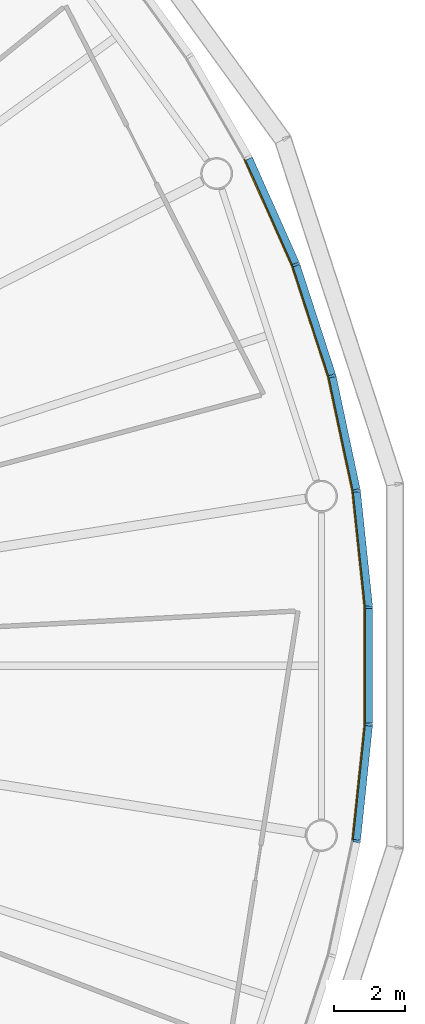
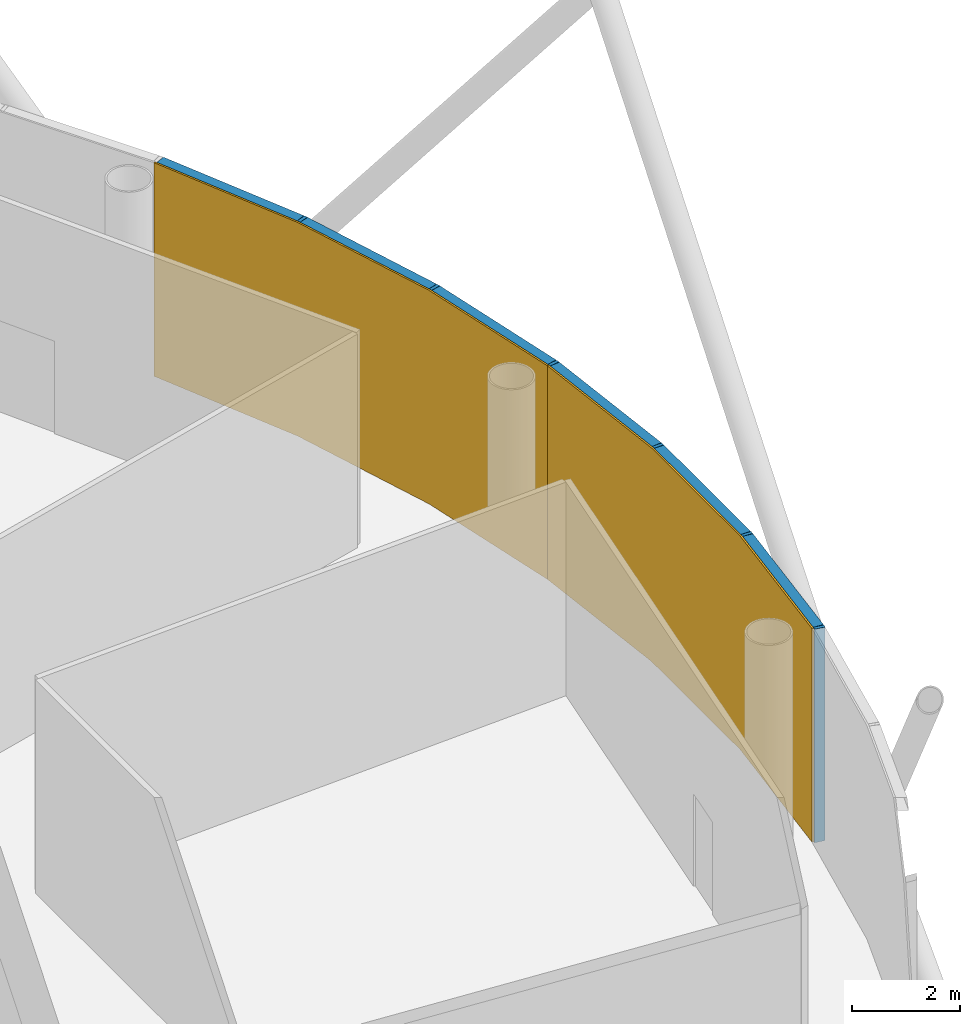
# One storey, part 11 of 13: 12 members, 2 curtain walls.
"""IFC4 building model written with IfcOpenShell, lengths in metres."""

from ifc_helpers import new_model, si_unit, direction, frame, origin, origin_2d, place, context, subcontext, project, spatial, polyline, rectangle, outline, extrude, material, layer, layer_set, material_profile, profile_set, type_object, element, aggregate, save


model = new_model("IFC4")

# Units and contexts
model_context = context("Model", 3, precision=1e-05, world=origin(), true_north=direction((0.0, 1.0)))
body_context = subcontext(model_context, "Body", "Model", "MODEL_VIEW")
ifc_project = project(units=[si_unit("LENGTHUNIT", "METRE"), si_unit("AREAUNIT", "SQUARE_METRE"), si_unit("VOLUMEUNIT", "CUBIC_METRE"), si_unit("PLANEANGLEUNIT", "RADIAN"), si_unit("MASSUNIT", "GRAM", prefix="KILO")], contexts=[model_context])

# Member
ifc_material_1 = material(Name="Anodised aluminium", Category="aluminium")
ifc_material_profile_1 = material_profile(ifc_material_1, rectangle(XDim=0.070068359375, YDim=0.2099609375, at=origin_2d()), Name="Mullion 70 x 210 mm anodised aluminium")
ifc_profile_set_1 = profile_set([ifc_material_profile_1], Name="Anodised aluminium")
member_type_1 = type_object("IfcMemberType", Name="Mullion 70 x 210 mm anodised aluminium", PredefinedType="MULLION", material=ifc_profile_set_1)
site_placement = place(None, origin())
building_placement = place(site_placement, origin())
storey_placement = place(building_placement, frame((0.0, 0.0, 402.0)))
member_1_placement = place(storey_placement, frame((121.2158203125, 84.944091796875, 0.0), z_axis=(0.0, 0.0, 1.0), x_axis=(-0.15643446504, 0.987688340595, 0.0)))
member_1 = element("IfcMember", 1, at=member_1_placement, type_object=member_type_1, Name="MULLION L92-00", PredefinedType="MULLION", context=body_context, shape_type="SweptSolid", body=[
    extrude(rectangle(XDim=0.070068359375, YDim=0.2099609375, at=origin_2d()), origin(), (0.0, 0.0, 1.0), 4.85009765625),
])

member_2_placement = place(storey_placement, frame((120.528076171875, 88.179931640625, 0.0), z_axis=(0.0, 0.0, 1.0), x_axis=(-0.258819045103, 0.965925826289, 0.0)))
member_2 = element("IfcMember", 2, at=member_2_placement, type_object=member_type_1, Name="MULLION L92-01", PredefinedType="MULLION", context=body_context, shape_type="SweptSolid", body=[
    extrude(rectangle(XDim=0.070068359375, YDim=0.2099609375, at=origin_2d()), origin(), (0.0, 0.0, 1.0), 4.85009765625),
])

member_3_placement = place(storey_placement, frame((119.505859375, 91.326171875, 0.0), z_axis=(0.0, 0.0, 1.0), x_axis=(-0.358367949545, 0.933580426497, 0.0)))
member_3 = element("IfcMember", 3, at=member_3_placement, type_object=member_type_1, Name="MULLION L92-02", PredefinedType="MULLION", context=body_context, shape_type="SweptSolid", body=[
    extrude(rectangle(XDim=0.070068359375, YDim=0.2099609375, at=origin_2d()), origin(), (0.0, 0.0, 1.0), 4.85009765625),
])

member_4_placement = place(storey_placement, frame((121.2158203125, 75.055908203125, 0.0), z_axis=(0.0, 0.0, 1.0), x_axis=(0.15643446504, 0.987688340595, 0.0)))
member_4 = element("IfcMember", 4, at=member_4_placement, type_object=member_type_1, Name="MULLION L92-57", PredefinedType="MULLION", context=body_context, shape_type="SweptSolid", body=[
    extrude(rectangle(XDim=0.070068359375, YDim=0.2099609375, at=origin_2d()), origin(), (0.0, 0.0, 1.0), 4.85009765625),
])

member_5_placement = place(storey_placement, frame((121.561767578125, 78.345947265625, 0.0), z_axis=(0.0, 0.0, 1.0), x_axis=(0.052335956243, 0.998629534755, 0.0)))
member_5 = element("IfcMember", 5, at=member_5_placement, type_object=member_type_1, Name="MULLION L92-58", PredefinedType="MULLION", context=body_context, shape_type="SweptSolid", body=[
    extrude(rectangle(XDim=0.070068359375, YDim=0.2099609375, at=origin_2d()), origin(), (0.0, 0.0, 1.0), 4.85009765625),
])

member_6_placement = place(storey_placement, frame((121.561767578125, 81.654052734375, 0.0), z_axis=(0.0, 0.0, 1.0), x_axis=(-0.052335956243, 0.998629534755, 0.0)))
member_6 = element("IfcMember", 6, at=member_6_placement, type_object=member_type_1, Name="MULLION L92-59", PredefinedType="MULLION", context=body_context, shape_type="SweptSolid", body=[
    extrude(rectangle(XDim=0.070068359375, YDim=0.2099609375, at=origin_2d()), origin(), (0.0, 0.0, 1.0), 4.85009765625),
])

ifc_material_2 = material(Name="Anodised aluminium", Category="aluminium")
ifc_material_profile_2 = material_profile(ifc_material_2, rectangle(XDim=0.2099609375, YDim=0.199951171875, at=origin_2d()), Name="Transom 200 x 210 mm anodised aluminium")
ifc_profile_set_2 = profile_set([ifc_material_profile_2], Name="Anodised aluminium")
member_type_2 = type_object("IfcMemberType", Name="Transom 200 x 210 mm anodised aluminium", PredefinedType="USERDEFINED", material=ifc_profile_set_2)
member_7_placement = place(storey_placement, frame((121.20751953125, 84.983642578125, 4.75), z_axis=(-0.207885898771, 0.978153082647, 0.0), x_axis=(-0.978153082647, -0.207885898771, 0.0)))
member_7 = element("IfcMember", 7, at=member_7_placement, type_object=member_type_2, Name="TRANSOM L92-00", ObjectType="TRANSOM", PredefinedType="USERDEFINED", context=body_context, shape_type="SweptSolid", body=[
    extrude(rectangle(XDim=0.2099609375, YDim=0.199951171875, at=origin_2d()), origin(), (0.0, 0.0, 1.0), 3.227294921875),
])

member_8_placement = place(storey_placement, frame((120.515625, 88.218505859375, 4.75), z_axis=(-0.308956065441, 0.951076311148, 0.0), x_axis=(-0.951076311148, -0.308956065441, 0.0)))
member_8 = element("IfcMember", 8, at=member_8_placement, type_object=member_type_2, Name="TRANSOM L92-01", ObjectType="TRANSOM", PredefinedType="USERDEFINED", context=body_context, shape_type="SweptSolid", body=[
    extrude(rectangle(XDim=0.2099609375, YDim=0.199951171875, at=origin_2d()), origin(), (0.0, 0.0, 1.0), 3.227294921875),
])

member_9_placement = place(storey_placement, frame((119.489501953125, 91.36328125, 4.75), z_axis=(-0.40676305784, 0.913533696574, 0.0), x_axis=(-0.913533696574, -0.40676305784, 0.0)))
member_9 = element("IfcMember", 9, at=member_9_placement, type_object=member_type_2, Name="TRANSOM L92-02", ObjectType="TRANSOM", PredefinedType="USERDEFINED", context=body_context, shape_type="SweptSolid", body=[
    extrude(rectangle(XDim=0.2099609375, YDim=0.199951171875, at=origin_2d()), origin(), (0.0, 0.0, 1.0), 3.227294921875),
])

member_10_placement = place(storey_placement, frame((121.22021484375, 75.09619140625, 4.75), z_axis=(0.104550890115, 0.994519537956, 0.0), x_axis=(-0.994519537956, 0.104550890115, 0.0)))
member_10 = element("IfcMember", 10, at=member_10_placement, type_object=member_type_2, Name="TRANSOM L92-57", ObjectType="TRANSOM", PredefinedType="USERDEFINED", context=body_context, shape_type="SweptSolid", body=[
    extrude(rectangle(XDim=0.2099609375, YDim=0.199951171875, at=origin_2d()), origin(), (0.0, 0.0, 1.0), 3.22705078125),
])

member_11_placement = place(storey_placement, frame((121.561767578125, 78.386474609375, 4.75), z_axis=(0.0, 1.0, 0.0), x_axis=(-1.0, 0.0, 0.0)))
member_11 = element("IfcMember", 11, at=member_11_placement, type_object=member_type_2, Name="TRANSOM L92-58", ObjectType="TRANSOM", PredefinedType="USERDEFINED", context=body_context, shape_type="SweptSolid", body=[
    extrude(rectangle(XDim=0.2099609375, YDim=0.199951171875, at=origin_2d()), origin(), (0.0, 0.0, 1.0), 3.22705078125),
])

member_12_placement = place(storey_placement, frame((121.5576171875, 81.6943359375, 4.75), z_axis=(-0.104550890115, 0.994519537956, 0.0), x_axis=(-0.994519537956, -0.104550890115, 0.0)))
member_12 = element("IfcMember", 12, at=member_12_placement, type_object=member_type_2, Name="TRANSOM L92-59", ObjectType="TRANSOM", PredefinedType="USERDEFINED", context=body_context, shape_type="SweptSolid", body=[
    extrude(rectangle(XDim=0.2099609375, YDim=0.199951171875, at=origin_2d()), origin(), (0.0, 0.0, 1.0), 3.22705078125),
])

# Site, building, storey
site = spatial("IfcSite", under=ifc_project, at=site_placement, CompositionType="ELEMENT")
building = spatial("IfcBuilding", under=site, at=building_placement, Name="Entoto Ring Tower", CompositionType="ELEMENT")
storey = spatial("IfcBuildingStorey", under=building, at=storey_placement, Name="L92", CompositionType="ELEMENT", Elevation=402.0)

# Curtain wall
ifc_material_3 = material(Name="Clear low-iron glass", Category="glass")
ifc_layer = layer(ifc_material_3, 0.0380859375)
ifc_layer_set = layer_set([ifc_layer], Name="Clear low-iron glass")
curtain_wall_type = type_object("IfcCurtainWallType", Name="Curtain wall system CW10 glazing 38 mm", PredefinedType="NOTDEFINED", material=ifc_layer_set)
curtain_wall_1_placement = place(storey_placement, origin())
curtain_wall_1 = element("IfcCurtainWall", 13, at=curtain_wall_1_placement, inside=storey, type_object=curtain_wall_type, Name="CW10 L92-01", PredefinedType="NOTDEFINED", context=body_context, shape_type="SweptSolid", body=[
    extrude(outline(polyline([(121.1123046875, 84.927734375), (120.4267578125, 88.15283203125), (119.40771484375, 91.28857421875), (118.066650390625, 94.30078125), (118.03271484375, 94.283447265625), (119.372314453125, 91.27490234375), (120.389892578125, 88.14306640625), (121.07470703125, 84.921630859375), (121.1123046875, 84.927734375)])), origin(), (0.0, 0.0, 1.0), 4.85009765625),
])

aggregate(curtain_wall_1, [member_1, member_2, member_3, member_7, member_8, member_9])

curtain_wall_2_placement = place(storey_placement, origin())
curtain_wall_2 = element("IfcCurtainWall", 14, at=curtain_wall_2_placement, inside=storey, type_object=curtain_wall_type, Name="CW10 L92-20", PredefinedType="NOTDEFINED", context=body_context, shape_type="SweptSolid", body=[
    extrude(outline(polyline([(121.1123046875, 75.072265625), (121.456787109375, 78.351318359375), (121.456787109375, 81.648681640625), (121.1123046875, 84.927734375), (121.07470703125, 84.921630859375), (121.4189453125, 81.646484375), (121.4189453125, 78.353515625), (121.07470703125, 75.078369140625), (121.1123046875, 75.072265625)])), origin(), (0.0, 0.0, 1.0), 4.85009765625),
])

aggregate(curtain_wall_2, [member_4, member_5, member_6, member_10, member_11, member_12])

save(model, "model.ifc")
